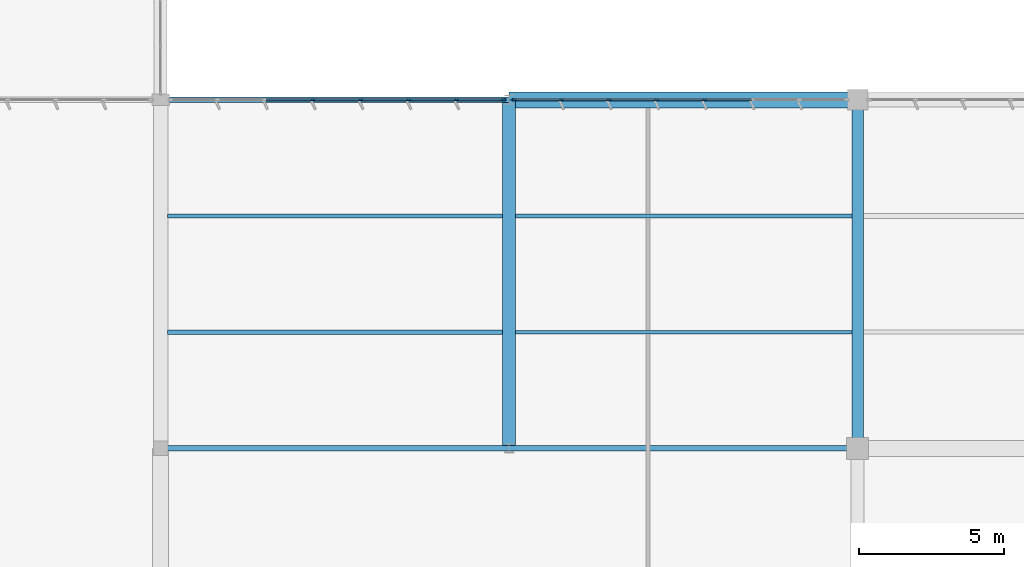
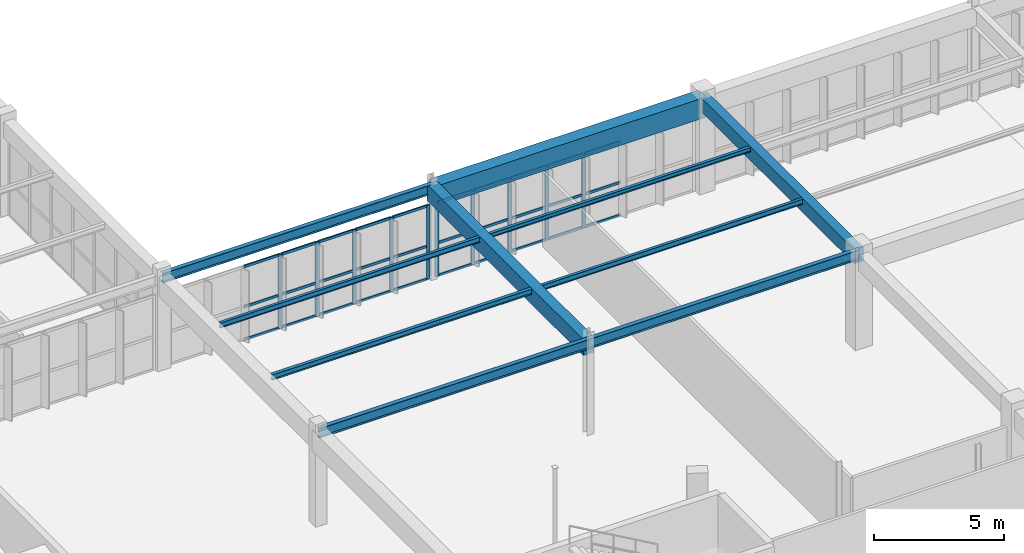
# One storey, part 82 of 226: 40 members, 10 beams, 2 elements without a shape of their own.
"""IFC4 building model written with IfcOpenShell, lengths in metres."""

from ifc_helpers import new_model, si_unit, direction, frame, origin, origin_2d, place, context, subcontext, project, spatial, rectangle, i_section, extrude, material, layer, layer_set, material_profile, profile_set, type_object, element, aggregate, save


model = new_model("IFC4")

# Units and contexts
model_context = context("Model", 3, precision=1e-05, world=origin(), true_north=direction((0.0, 1.0)))
body_context = subcontext(model_context, "Body", "Model", "MODEL_VIEW")
ifc_project = project(units=[si_unit("LENGTHUNIT", "METRE"), si_unit("AREAUNIT", "SQUARE_METRE"), si_unit("VOLUMEUNIT", "CUBIC_METRE"), si_unit("PLANEANGLEUNIT", "RADIAN"), si_unit("MASSUNIT", "GRAM", prefix="KILO")], contexts=[model_context])

# Site, building, storey
site_placement = place(None, origin())
site = spatial("IfcSite", under=ifc_project, at=site_placement, CompositionType="ELEMENT")
building_placement = place(site_placement, origin())
building = spatial("IfcBuilding", under=site, at=building_placement, Name="Tarnwether General Hospital", CompositionType="ELEMENT")
storey_placement = place(building_placement, frame((0.0, 0.0, 4.800048828125)))
storey = spatial("IfcBuildingStorey", under=building, at=storey_placement, Name="L01", CompositionType="ELEMENT", Elevation=4.800048828125)

# Beams
ifc_material_1 = material(Name="Steel Grade 350 (350 MPa)", Category="steel")
ifc_material_profile_1 = material_profile(ifc_material_1, i_section(OverallWidth=0.18994140625, OverallDepth=0.45703125, WebThickness=0.009033203125, FlangeThickness=0.014404296875, at=origin_2d()), Name="460UB74.6")
ifc_profile_set_1 = profile_set([ifc_material_profile_1], Name="Steel Grade 350 (350 MPa)")
beam_type_1 = type_object("IfcBeamType", Name="BM-G09", PredefinedType="BEAM", material=ifc_profile_set_1)
beam_1_placement = place(storey_placement, frame((60.0, 33.60009765625, 4.216552734375), z_axis=(1.0, 0.0, 0.0), x_axis=(0.0, 1.0, 0.0)))
element("IfcBeam", 1, at=beam_1_placement, inside=storey, type_object=beam_type_1, Name="Primary Girder BMG-L01-6000_3360-7200_3360-1122", PredefinedType="BEAM", context=body_context, shape_type="SweptSolid", body=[
    extrude(i_section(OverallWidth=0.18994140625, OverallDepth=0.45703125, WebThickness=0.009033203125, FlangeThickness=0.014404296875, at=origin_2d()), origin(), (0.0, 0.0, 1.0), 12.0),
])
ifc_material_2 = material(Name="Steel Grade 350 (350 MPa)", Category="steel")
ifc_material_profile_2 = material_profile(ifc_material_2, i_section(OverallWidth=0.18994140625, OverallDepth=0.4541015625, WebThickness=0.008544921875, FlangeThickness=0.0126953125, at=origin_2d()), Name="460UB67.1")
ifc_profile_set_2 = profile_set([ifc_material_profile_2], Name="Steel Grade 350 (350 MPa)")
beam_type_2 = type_object("IfcBeamType", Name="BM-G10", PredefinedType="BEAM", material=ifc_profile_set_2)
for number, where, z_axis, x_axis, name in (
    (2, (60.0, 45.60009765625, 4.218017578125), (1.0, 0.0, 0.0), (0.0, 1.0, 0.0), "Primary Girder BMG-L01-6000_4560-7200_4560-1124"),
    (3, (72.0, 33.60009765625, 4.218017578125), (1.0, 0.0, 0.0), (0.0, 1.0, 0.0), "Primary Girder BMG-L01-7200_3360-8400_3360-1136"),
):
    element("IfcBeam", number, at=place(storey_placement, frame(where, z_axis=z_axis, x_axis=x_axis)), inside=storey, type_object=beam_type_2, Name=name, PredefinedType="BEAM", context=body_context, shape_type="SweptSolid", body=[
        extrude(i_section(OverallWidth=0.18994140625, OverallDepth=0.4541015625, WebThickness=0.008544921875, FlangeThickness=0.0126953125, at=origin_2d()), origin(), (0.0, 0.0, 1.0), 12.0),
    ])
ifc_material_3 = material(Name="Concrete 40 MPa", Category="concrete")
ifc_material_profile_3 = material_profile(ifc_material_3, rectangle(XDim=0.550048828125, YDim=0.949951171875, at=origin_2d()), Name="RC-BM-550x950")
ifc_profile_set_3 = profile_set([ifc_material_profile_3], Name="Concrete 40 MPa")
beam_type_3 = type_object("IfcBeamType", Name="BM-G11", PredefinedType="BEAM", material=ifc_profile_set_3)
beam_2_placement = place(storey_placement, frame((72.0, 45.60009765625, 3.969970703125), z_axis=(1.0, 0.0, 0.0), x_axis=(0.0, 1.0, 0.0)))
element("IfcBeam", 4, at=beam_2_placement, inside=storey, type_object=beam_type_3, Name="Primary Girder BMG-L01-7200_4560-8400_4560-1138", PredefinedType="BEAM", context=body_context, shape_type="SweptSolid", body=[
    extrude(rectangle(XDim=0.550048828125, YDim=0.949951171875, at=origin_2d()), origin(), (0.0, 0.0, 1.0), 12.0),
])
ifc_material_4 = material(Name="Concrete 40 MPa", Category="concrete")
ifc_material_profile_4 = material_profile(ifc_material_4, rectangle(XDim=0.449951171875, YDim=0.75, at=origin_2d()), Name="RC-BM-450x750")
ifc_profile_set_4 = profile_set([ifc_material_profile_4], Name="Concrete 40 MPa")
beam_type_4 = type_object("IfcBeamType", Name="BM-G13", PredefinedType="BEAM", material=ifc_profile_set_4)
beam_3_placement = place(storey_placement, frame((72.0, 33.60009765625, 4.070068359375), z_axis=(0.0, 1.0, 0.0), x_axis=(-1.0, 0.0, 0.0)))
element("IfcBeam", 5, at=beam_3_placement, inside=storey, type_object=beam_type_4, Name="Primary Girder BMG-L01-7200_3360-7200_4560-1137", PredefinedType="BEAM", context=body_context, shape_type="SweptSolid", body=[
    extrude(rectangle(XDim=0.449951171875, YDim=0.75, at=origin_2d()), origin(), (0.0, 0.0, 1.0), 12.0),
])
ifc_material_5 = material(Name="Concrete 40 MPa", Category="concrete")
ifc_material_profile_5 = material_profile(ifc_material_5, rectangle(XDim=0.39990234375, YDim=0.64990234375, at=origin_2d()), Name="RC-BM-400x650")
ifc_profile_set_5 = profile_set([ifc_material_profile_5], Name="Concrete 40 MPa")
beam_type_5 = type_object("IfcBeamType", Name="BM-G14", PredefinedType="BEAM", material=ifc_profile_set_5)
beam_4_placement = place(storey_placement, frame((84.0, 33.60009765625, 4.119873046875), z_axis=(0.0, 1.0, 0.0), x_axis=(-1.0, 0.0, 0.0)))
element("IfcBeam", 6, at=beam_4_placement, inside=storey, type_object=beam_type_5, Name="Primary Girder BMG-L01-8400_3360-8400_4560-1149", PredefinedType="BEAM", context=body_context, shape_type="SweptSolid", body=[
    extrude(rectangle(XDim=0.39990234375, YDim=0.64990234375, at=origin_2d()), origin(), (0.0, 0.0, 1.0), 12.0),
])
ifc_material_6 = material(Name="Steel Grade 350 (350 MPa)", Category="steel")
ifc_material_profile_6 = material_profile(ifc_material_6, i_section(OverallWidth=0.14599609375, OverallDepth=0.251953125, WebThickness=0.006103515625, FlangeThickness=0.008544921875, at=origin_2d()), Name="250UB31.4")
ifc_profile_set_6 = profile_set([ifc_material_profile_6], Name="Steel Grade 350 (350 MPa)")
beam_type_6 = type_object("IfcBeamType", Name="BM-J10", PredefinedType="JOIST", material=ifc_profile_set_6)
beam_5_placement = place(storey_placement, frame((60.243896484375, 37.60009765625, 4.31884765625), z_axis=(1.0, 0.0, 0.0), x_axis=(0.0, 1.0, 0.0)))
element("IfcBeam", 7, at=beam_5_placement, inside=storey, type_object=beam_type_6, Name="Composite Floor Joist BMG-L01-6024_3760-7178_3760-1353", PredefinedType="JOIST", context=body_context, shape_type="SweptSolid", body=[
    extrude(i_section(OverallWidth=0.14599609375, OverallDepth=0.251953125, WebThickness=0.006103515625, FlangeThickness=0.008544921875, at=origin_2d()), origin(), (0.0, 0.0, 1.0), 11.537109375),
])
ifc_material_7 = material(Name="Steel Grade 350 (350 MPa)", Category="steel")
ifc_material_profile_7 = material_profile(ifc_material_7, i_section(OverallWidth=0.1240234375, OverallDepth=0.248046875, WebThickness=0.0048828125, FlangeThickness=0.008056640625, at=origin_2d()), Name="250UB25.7")
ifc_profile_set_7 = profile_set([ifc_material_profile_7], Name="Steel Grade 350 (350 MPa)")
beam_type_7 = type_object("IfcBeamType", Name="BM-J11", PredefinedType="JOIST", material=ifc_profile_set_7)
beam_6_placement = place(storey_placement, frame((60.243896484375, 41.60009765625, 4.321044921875), z_axis=(1.0, 0.0, 0.0), x_axis=(0.0, 1.0, 0.0)))
element("IfcBeam", 8, at=beam_6_placement, inside=storey, type_object=beam_type_7, Name="Composite Floor Joist BMG-L01-6024_4160-7178_4160-1354", PredefinedType="JOIST", context=body_context, shape_type="SweptSolid", body=[
    extrude(i_section(OverallWidth=0.1240234375, OverallDepth=0.248046875, WebThickness=0.0048828125, FlangeThickness=0.008056640625, at=origin_2d()), origin(), (0.0, 0.0, 1.0), 11.537109375),
])
beam_7_placement = place(storey_placement, frame((72.218994140625, 37.60009765625, 4.321044921875), z_axis=(1.0, 0.0, 0.0), x_axis=(0.0, 1.0, 0.0)))
element("IfcBeam", 9, at=beam_7_placement, inside=storey, type_object=beam_type_7, Name="Composite Floor Joist BMG-L01-7222_3760-8381_3760-1357", PredefinedType="JOIST", context=body_context, shape_type="SweptSolid", body=[
    extrude(i_section(OverallWidth=0.1240234375, OverallDepth=0.248046875, WebThickness=0.0048828125, FlangeThickness=0.008056640625, at=origin_2d()), origin(), (0.0, 0.0, 1.0), 11.5869140625),
])
ifc_material_8 = material(Name="Steel Grade 350 (350 MPa)", Category="steel")
ifc_material_profile_8 = material_profile(ifc_material_8, i_section(OverallWidth=0.134033203125, OverallDepth=0.20703125, WebThickness=0.00634765625, FlangeThickness=0.009521484375, at=origin_2d()), Name="200UB29.8")
ifc_profile_set_8 = profile_set([ifc_material_profile_8], Name="Steel Grade 350 (350 MPa)")
beam_type_8 = type_object("IfcBeamType", Name="BM-J12", PredefinedType="JOIST", material=ifc_profile_set_8)
beam_8_placement = place(storey_placement, frame((72.218994140625, 41.60009765625, 4.341552734375), z_axis=(1.0, 0.0, 0.0), x_axis=(0.0, 1.0, 0.0)))
element("IfcBeam", 10, at=beam_8_placement, inside=storey, type_object=beam_type_8, Name="Composite Floor Joist BMG-L01-7222_4160-8381_4160-1358", PredefinedType="JOIST", context=body_context, shape_type="SweptSolid", body=[
    extrude(i_section(OverallWidth=0.134033203125, OverallDepth=0.20703125, WebThickness=0.00634765625, FlangeThickness=0.009521484375, at=origin_2d()), origin(), (0.0, 0.0, 1.0), 11.5869140625),
])

# Curtain wall, members
ifc_material_9 = material(Name="Anodised aluminium", Category="aluminium")
ifc_layer = layer(ifc_material_9, 0.159912109375)
ifc_layer_set = layer_set([ifc_layer], Name="Anodised aluminium")
curtain_wall_type = type_object("IfcCurtainWallType", Name="CW-24", PredefinedType="NOTDEFINED", material=ifc_layer_set)
curtain_wall_1_placement = place(storey_placement, origin())
curtain_wall_1 = element("IfcCurtainWall", 11, at=curtain_wall_1_placement, inside=storey, type_object=curtain_wall_type, Name="Curtain Wall CWG-L01-836_456-0345", PredefinedType="NOTDEFINED")
ifc_material_10 = material(Name="Anodised aluminium", Category="aluminium")
ifc_material_profile_9 = material_profile(ifc_material_10, rectangle(XDim=0.06005859375, YDim=0.159912109375, at=origin_2d()), Name="ALU-MUL-60x160")
ifc_profile_set_9 = profile_set([ifc_material_profile_9], Name="Anodised aluminium")
member_type_1 = type_object("IfcMemberType", Name="CW-ML1", PredefinedType="MULLION", material=ifc_profile_set_9)
member_1_placement = place(storey_placement, frame((78.72119140625, 45.60009765625, 0.0), z_axis=(0.0, 0.0, 1.0), x_axis=(0.0, -1.0, 0.0)))
member_1 = element("IfcMember", 12, at=member_1_placement, type_object=member_type_1, Name="CW-24 mullion 4", PredefinedType="MULLION", context=body_context, shape_type="SweptSolid", body=[
    extrude(rectangle(XDim=0.06005859375, YDim=0.159912109375, at=origin_2d()), origin(), (0.0, 0.0, 1.0), 3.47998046875),
])
member_2_placement = place(storey_placement, frame((77.080810546875, 45.60009765625, 0.0), z_axis=(0.0, 0.0, 1.0), x_axis=(0.0, -1.0, 0.0)))
member_2 = element("IfcMember", 13, at=member_2_placement, type_object=member_type_1, Name="CW-24 mullion 5", PredefinedType="MULLION", context=body_context, shape_type="SweptSolid", body=[
    extrude(rectangle(XDim=0.06005859375, YDim=0.159912109375, at=origin_2d()), origin(), (0.0, 0.0, 1.0), 3.47998046875),
])
member_3_placement = place(storey_placement, frame((75.440673828125, 45.60009765625, 0.0), z_axis=(0.0, 0.0, 1.0), x_axis=(0.0, -1.0, 0.0)))
member_3 = element("IfcMember", 14, at=member_3_placement, type_object=member_type_1, Name="CW-24 mullion 6", PredefinedType="MULLION", context=body_context, shape_type="SweptSolid", body=[
    extrude(rectangle(XDim=0.06005859375, YDim=0.159912109375, at=origin_2d()), origin(), (0.0, 0.0, 1.0), 3.47998046875),
])
member_4_placement = place(storey_placement, frame((73.80029296875, 45.60009765625, 0.0), z_axis=(0.0, 0.0, 1.0), x_axis=(0.0, -1.0, 0.0)))
member_4 = element("IfcMember", 15, at=member_4_placement, type_object=member_type_1, Name="CW-24 mullion 7", PredefinedType="MULLION", context=body_context, shape_type="SweptSolid", body=[
    extrude(rectangle(XDim=0.06005859375, YDim=0.159912109375, at=origin_2d()), origin(), (0.0, 0.0, 1.0), 3.47998046875),
])
member_5_placement = place(storey_placement, frame((72.18994140625, 45.60009765625, 0.0), z_axis=(0.0, 0.0, 1.0), x_axis=(0.0, -1.0, 0.0)))
member_5 = element("IfcMember", 16, at=member_5_placement, type_object=member_type_1, Name="CW-24 mullion 8", PredefinedType="MULLION", context=body_context, shape_type="SweptSolid", body=[
    extrude(rectangle(XDim=0.06005859375, YDim=0.159912109375, at=origin_2d()), origin(), (0.0, 0.0, 1.0), 3.47998046875),
])

curtain_wall_2_placement = place(storey_placement, origin())
curtain_wall_2 = element("IfcCurtainWall", 17, at=curtain_wall_2_placement, inside=storey, type_object=curtain_wall_type, Name="Curtain Wall CWG-L01-718_456-0346", PredefinedType="NOTDEFINED")
member_6_placement = place(storey_placement, frame((71.81005859375, 45.60009765625, 0.0), z_axis=(0.0, 0.0, 1.0), x_axis=(0.0, -1.0, 0.0)))
member_6 = element("IfcMember", 18, at=member_6_placement, type_object=member_type_1, Name="CW-24 mullion 1", PredefinedType="MULLION", context=body_context, shape_type="SweptSolid", body=[
    extrude(rectangle(XDim=0.06005859375, YDim=0.159912109375, at=origin_2d()), origin(), (0.0, 0.0, 1.0), 3.47998046875),
])
member_7_placement = place(storey_placement, frame((70.192626953125, 45.60009765625, 0.0), z_axis=(0.0, 0.0, 1.0), x_axis=(0.0, -1.0, 0.0)))
member_7 = element("IfcMember", 19, at=member_7_placement, type_object=member_type_1, Name="CW-24 mullion 2", PredefinedType="MULLION", context=body_context, shape_type="SweptSolid", body=[
    extrude(rectangle(XDim=0.06005859375, YDim=0.159912109375, at=origin_2d()), origin(), (0.0, 0.0, 1.0), 3.47998046875),
])
member_8_placement = place(storey_placement, frame((68.545166015625, 45.60009765625, 0.0), z_axis=(0.0, 0.0, 1.0), x_axis=(0.0, -1.0, 0.0)))
member_8 = element("IfcMember", 20, at=member_8_placement, type_object=member_type_1, Name="CW-24 mullion 3", PredefinedType="MULLION", context=body_context, shape_type="SweptSolid", body=[
    extrude(rectangle(XDim=0.06005859375, YDim=0.159912109375, at=origin_2d()), origin(), (0.0, 0.0, 1.0), 3.47998046875),
])
member_9_placement = place(storey_placement, frame((66.897705078125, 45.60009765625, 0.0), z_axis=(0.0, 0.0, 1.0), x_axis=(0.0, -1.0, 0.0)))
member_9 = element("IfcMember", 21, at=member_9_placement, type_object=member_type_1, Name="CW-24 mullion 4", PredefinedType="MULLION", context=body_context, shape_type="SweptSolid", body=[
    extrude(rectangle(XDim=0.06005859375, YDim=0.159912109375, at=origin_2d()), origin(), (0.0, 0.0, 1.0), 3.47998046875),
])
member_10_placement = place(storey_placement, frame((65.250244140625, 45.60009765625, 0.0), z_axis=(0.0, 0.0, 1.0), x_axis=(0.0, -1.0, 0.0)))
member_10 = element("IfcMember", 22, at=member_10_placement, type_object=member_type_1, Name="CW-24 mullion 5", PredefinedType="MULLION", context=body_context, shape_type="SweptSolid", body=[
    extrude(rectangle(XDim=0.06005859375, YDim=0.159912109375, at=origin_2d()), origin(), (0.0, 0.0, 1.0), 3.47998046875),
])

# Member
ifc_material_11 = material(Name="Anodised aluminium", Category="aluminium")
ifc_material_profile_10 = material_profile(ifc_material_11, rectangle(XDim=0.06005859375, YDim=0.1201171875, at=origin_2d()), Name="ALU-TRN-60x120")
ifc_profile_set_10 = profile_set([ifc_material_profile_10], Name="Anodised aluminium")
member_type_2 = type_object("IfcMemberType", Name="CW-TR1", PredefinedType="USERDEFINED", material=ifc_profile_set_10)
member_11_placement = place(storey_placement, frame((80.33154296875, 45.60009765625, 0.030029296875), z_axis=(-1.0, 0.0, 0.0), x_axis=(0.0, -1.0, 0.0)))
member_11 = element("IfcMember", 23, at=member_11_placement, type_object=member_type_2, Name="CW-24 transom 3.1", ObjectType="TRANSOM", PredefinedType="USERDEFINED", context=body_context, shape_type="SweptSolid", body=[
    extrude(rectangle(XDim=0.06005859375, YDim=0.1201171875, at=origin_2d()), origin(), (0.0, 0.0, 1.0), 1.580322265625),
])

member_12_placement = place(storey_placement, frame((80.33154296875, 45.60009765625, 1.56591796875), z_axis=(-1.0, 0.0, 0.0), x_axis=(0.0, -1.0, 0.0)))
member_12 = element("IfcMember", 24, at=member_12_placement, type_object=member_type_2, Name="CW-24 transom 3.2", ObjectType="TRANSOM", PredefinedType="USERDEFINED", context=body_context, shape_type="SweptSolid", body=[
    extrude(rectangle(XDim=0.06005859375, YDim=0.1201171875, at=origin_2d()), origin(), (0.0, 0.0, 1.0), 1.580322265625),
])

member_13_placement = place(storey_placement, frame((80.33154296875, 45.60009765625, 3.449951171875), z_axis=(-1.0, 0.0, 0.0), x_axis=(0.0, -1.0, 0.0)))
member_13 = element("IfcMember", 25, at=member_13_placement, type_object=member_type_2, Name="CW-24 transom 3.3", ObjectType="TRANSOM", PredefinedType="USERDEFINED", context=body_context, shape_type="SweptSolid", body=[
    extrude(rectangle(XDim=0.06005859375, YDim=0.1201171875, at=origin_2d()), origin(), (0.0, 0.0, 1.0), 1.580322265625),
])

member_14_placement = place(storey_placement, frame((78.691162109375, 45.60009765625, 0.030029296875), z_axis=(-1.0, 0.0, 0.0), x_axis=(0.0, -1.0, 0.0)))
member_14 = element("IfcMember", 26, at=member_14_placement, type_object=member_type_2, Name="CW-24 transom 4.1", ObjectType="TRANSOM", PredefinedType="USERDEFINED", context=body_context, shape_type="SweptSolid", body=[
    extrude(rectangle(XDim=0.06005859375, YDim=0.1201171875, at=origin_2d()), origin(), (0.0, 0.0, 1.0), 1.580322265625),
])

member_15_placement = place(storey_placement, frame((78.691162109375, 45.60009765625, 1.56591796875), z_axis=(-1.0, 0.0, 0.0), x_axis=(0.0, -1.0, 0.0)))
member_15 = element("IfcMember", 27, at=member_15_placement, type_object=member_type_2, Name="CW-24 transom 4.2", ObjectType="TRANSOM", PredefinedType="USERDEFINED", context=body_context, shape_type="SweptSolid", body=[
    extrude(rectangle(XDim=0.06005859375, YDim=0.1201171875, at=origin_2d()), origin(), (0.0, 0.0, 1.0), 1.580322265625),
])

member_16_placement = place(storey_placement, frame((78.691162109375, 45.60009765625, 3.449951171875), z_axis=(-1.0, 0.0, 0.0), x_axis=(0.0, -1.0, 0.0)))
member_16 = element("IfcMember", 28, at=member_16_placement, type_object=member_type_2, Name="CW-24 transom 4.3", ObjectType="TRANSOM", PredefinedType="USERDEFINED", context=body_context, shape_type="SweptSolid", body=[
    extrude(rectangle(XDim=0.06005859375, YDim=0.1201171875, at=origin_2d()), origin(), (0.0, 0.0, 1.0), 1.580322265625),
])

member_17_placement = place(storey_placement, frame((77.05078125, 45.60009765625, 0.030029296875), z_axis=(-1.0, 0.0, 0.0), x_axis=(0.0, -1.0, 0.0)))
member_17 = element("IfcMember", 29, at=member_17_placement, type_object=member_type_2, Name="CW-24 transom 5.1", ObjectType="TRANSOM", PredefinedType="USERDEFINED", context=body_context, shape_type="SweptSolid", body=[
    extrude(rectangle(XDim=0.06005859375, YDim=0.1201171875, at=origin_2d()), origin(), (0.0, 0.0, 1.0), 1.580322265625),
])

member_18_placement = place(storey_placement, frame((77.05078125, 45.60009765625, 1.56591796875), z_axis=(-1.0, 0.0, 0.0), x_axis=(0.0, -1.0, 0.0)))
member_18 = element("IfcMember", 30, at=member_18_placement, type_object=member_type_2, Name="CW-24 transom 5.2", ObjectType="TRANSOM", PredefinedType="USERDEFINED", context=body_context, shape_type="SweptSolid", body=[
    extrude(rectangle(XDim=0.06005859375, YDim=0.1201171875, at=origin_2d()), origin(), (0.0, 0.0, 1.0), 1.580322265625),
])

member_19_placement = place(storey_placement, frame((77.05078125, 45.60009765625, 3.449951171875), z_axis=(-1.0, 0.0, 0.0), x_axis=(0.0, -1.0, 0.0)))
member_19 = element("IfcMember", 31, at=member_19_placement, type_object=member_type_2, Name="CW-24 transom 5.3", ObjectType="TRANSOM", PredefinedType="USERDEFINED", context=body_context, shape_type="SweptSolid", body=[
    extrude(rectangle(XDim=0.06005859375, YDim=0.1201171875, at=origin_2d()), origin(), (0.0, 0.0, 1.0), 1.580322265625),
])

member_20_placement = place(storey_placement, frame((75.41064453125, 45.60009765625, 0.030029296875), z_axis=(-1.0, 0.0, 0.0), x_axis=(0.0, -1.0, 0.0)))
member_20 = element("IfcMember", 32, at=member_20_placement, type_object=member_type_2, Name="CW-24 transom 6.1", ObjectType="TRANSOM", PredefinedType="USERDEFINED", context=body_context, shape_type="SweptSolid", body=[
    extrude(rectangle(XDim=0.06005859375, YDim=0.1201171875, at=origin_2d()), origin(), (0.0, 0.0, 1.0), 1.580322265625),
])

member_21_placement = place(storey_placement, frame((75.41064453125, 45.60009765625, 1.56591796875), z_axis=(-1.0, 0.0, 0.0), x_axis=(0.0, -1.0, 0.0)))
member_21 = element("IfcMember", 33, at=member_21_placement, type_object=member_type_2, Name="CW-24 transom 6.2", ObjectType="TRANSOM", PredefinedType="USERDEFINED", context=body_context, shape_type="SweptSolid", body=[
    extrude(rectangle(XDim=0.06005859375, YDim=0.1201171875, at=origin_2d()), origin(), (0.0, 0.0, 1.0), 1.580322265625),
])

member_22_placement = place(storey_placement, frame((75.41064453125, 45.60009765625, 3.449951171875), z_axis=(-1.0, 0.0, 0.0), x_axis=(0.0, -1.0, 0.0)))
member_22 = element("IfcMember", 34, at=member_22_placement, type_object=member_type_2, Name="CW-24 transom 6.3", ObjectType="TRANSOM", PredefinedType="USERDEFINED", context=body_context, shape_type="SweptSolid", body=[
    extrude(rectangle(XDim=0.06005859375, YDim=0.1201171875, at=origin_2d()), origin(), (0.0, 0.0, 1.0), 1.580322265625),
])

member_23_placement = place(storey_placement, frame((73.770263671875, 45.60009765625, 0.030029296875), z_axis=(-1.0, 0.0, 0.0), x_axis=(0.0, -1.0, 0.0)))
member_23 = element("IfcMember", 35, at=member_23_placement, type_object=member_type_2, Name="CW-24 transom 7.1", ObjectType="TRANSOM", PredefinedType="USERDEFINED", context=body_context, shape_type="SweptSolid", body=[
    extrude(rectangle(XDim=0.06005859375, YDim=0.1201171875, at=origin_2d()), origin(), (0.0, 0.0, 1.0), 1.55029296875),
])

member_24_placement = place(storey_placement, frame((73.770263671875, 45.60009765625, 1.56591796875), z_axis=(-1.0, 0.0, 0.0), x_axis=(0.0, -1.0, 0.0)))
member_24 = element("IfcMember", 36, at=member_24_placement, type_object=member_type_2, Name="CW-24 transom 7.2", ObjectType="TRANSOM", PredefinedType="USERDEFINED", context=body_context, shape_type="SweptSolid", body=[
    extrude(rectangle(XDim=0.06005859375, YDim=0.1201171875, at=origin_2d()), origin(), (0.0, 0.0, 1.0), 1.55029296875),
])

member_25_placement = place(storey_placement, frame((73.770263671875, 45.60009765625, 3.449951171875), z_axis=(-1.0, 0.0, 0.0), x_axis=(0.0, -1.0, 0.0)))
member_25 = element("IfcMember", 37, at=member_25_placement, type_object=member_type_2, Name="CW-24 transom 7.3", ObjectType="TRANSOM", PredefinedType="USERDEFINED", context=body_context, shape_type="SweptSolid", body=[
    extrude(rectangle(XDim=0.06005859375, YDim=0.1201171875, at=origin_2d()), origin(), (0.0, 0.0, 1.0), 1.55029296875),
])

aggregate(curtain_wall_1, [member_1, member_2, member_3, member_4, member_5, member_11, member_12, member_13, member_14, member_15, member_16, member_17, member_18, member_19, member_20, member_21, member_22, member_23, member_24, member_25])

member_26_placement = place(storey_placement, frame((71.780029296875, 45.60009765625, 0.030029296875), z_axis=(-1.0, 0.0, 0.0), x_axis=(0.0, -1.0, 0.0)))
member_26 = element("IfcMember", 38, at=member_26_placement, type_object=member_type_2, Name="CW-24 transom 1.1", ObjectType="TRANSOM", PredefinedType="USERDEFINED", context=body_context, shape_type="SweptSolid", body=[
    extrude(rectangle(XDim=0.06005859375, YDim=0.1201171875, at=origin_2d()), origin(), (0.0, 0.0, 1.0), 1.557373046875),
])

member_27_placement = place(storey_placement, frame((71.780029296875, 45.60009765625, 1.56591796875), z_axis=(-1.0, 0.0, 0.0), x_axis=(0.0, -1.0, 0.0)))
member_27 = element("IfcMember", 39, at=member_27_placement, type_object=member_type_2, Name="CW-24 transom 1.2", ObjectType="TRANSOM", PredefinedType="USERDEFINED", context=body_context, shape_type="SweptSolid", body=[
    extrude(rectangle(XDim=0.06005859375, YDim=0.1201171875, at=origin_2d()), origin(), (0.0, 0.0, 1.0), 1.557373046875),
])

member_28_placement = place(storey_placement, frame((71.780029296875, 45.60009765625, 3.449951171875), z_axis=(-1.0, 0.0, 0.0), x_axis=(0.0, -1.0, 0.0)))
member_28 = element("IfcMember", 40, at=member_28_placement, type_object=member_type_2, Name="CW-24 transom 1.3", ObjectType="TRANSOM", PredefinedType="USERDEFINED", context=body_context, shape_type="SweptSolid", body=[
    extrude(rectangle(XDim=0.06005859375, YDim=0.1201171875, at=origin_2d()), origin(), (0.0, 0.0, 1.0), 1.557373046875),
])

member_29_placement = place(storey_placement, frame((70.16259765625, 45.60009765625, 0.030029296875), z_axis=(-1.0, 0.0, 0.0), x_axis=(0.0, -1.0, 0.0)))
member_29 = element("IfcMember", 41, at=member_29_placement, type_object=member_type_2, Name="CW-24 transom 2.1", ObjectType="TRANSOM", PredefinedType="USERDEFINED", context=body_context, shape_type="SweptSolid", body=[
    extrude(rectangle(XDim=0.06005859375, YDim=0.1201171875, at=origin_2d()), origin(), (0.0, 0.0, 1.0), 1.58740234375),
])

member_30_placement = place(storey_placement, frame((70.16259765625, 45.60009765625, 1.56591796875), z_axis=(-1.0, 0.0, 0.0), x_axis=(0.0, -1.0, 0.0)))
member_30 = element("IfcMember", 42, at=member_30_placement, type_object=member_type_2, Name="CW-24 transom 2.2", ObjectType="TRANSOM", PredefinedType="USERDEFINED", context=body_context, shape_type="SweptSolid", body=[
    extrude(rectangle(XDim=0.06005859375, YDim=0.1201171875, at=origin_2d()), origin(), (0.0, 0.0, 1.0), 1.58740234375),
])

member_31_placement = place(storey_placement, frame((70.16259765625, 45.60009765625, 3.449951171875), z_axis=(-1.0, 0.0, 0.0), x_axis=(0.0, -1.0, 0.0)))
member_31 = element("IfcMember", 43, at=member_31_placement, type_object=member_type_2, Name="CW-24 transom 2.3", ObjectType="TRANSOM", PredefinedType="USERDEFINED", context=body_context, shape_type="SweptSolid", body=[
    extrude(rectangle(XDim=0.06005859375, YDim=0.1201171875, at=origin_2d()), origin(), (0.0, 0.0, 1.0), 1.58740234375),
])

member_32_placement = place(storey_placement, frame((68.51513671875, 45.60009765625, 0.030029296875), z_axis=(-1.0, 0.0, 0.0), x_axis=(0.0, -1.0, 0.0)))
member_32 = element("IfcMember", 44, at=member_32_placement, type_object=member_type_2, Name="CW-24 transom 3.1", ObjectType="TRANSOM", PredefinedType="USERDEFINED", context=body_context, shape_type="SweptSolid", body=[
    extrude(rectangle(XDim=0.06005859375, YDim=0.1201171875, at=origin_2d()), origin(), (0.0, 0.0, 1.0), 1.58740234375),
])

member_33_placement = place(storey_placement, frame((68.51513671875, 45.60009765625, 1.56591796875), z_axis=(-1.0, 0.0, 0.0), x_axis=(0.0, -1.0, 0.0)))
member_33 = element("IfcMember", 45, at=member_33_placement, type_object=member_type_2, Name="CW-24 transom 3.2", ObjectType="TRANSOM", PredefinedType="USERDEFINED", context=body_context, shape_type="SweptSolid", body=[
    extrude(rectangle(XDim=0.06005859375, YDim=0.1201171875, at=origin_2d()), origin(), (0.0, 0.0, 1.0), 1.58740234375),
])

member_34_placement = place(storey_placement, frame((68.51513671875, 45.60009765625, 3.449951171875), z_axis=(-1.0, 0.0, 0.0), x_axis=(0.0, -1.0, 0.0)))
member_34 = element("IfcMember", 46, at=member_34_placement, type_object=member_type_2, Name="CW-24 transom 3.3", ObjectType="TRANSOM", PredefinedType="USERDEFINED", context=body_context, shape_type="SweptSolid", body=[
    extrude(rectangle(XDim=0.06005859375, YDim=0.1201171875, at=origin_2d()), origin(), (0.0, 0.0, 1.0), 1.58740234375),
])

member_35_placement = place(storey_placement, frame((66.86767578125, 45.60009765625, 0.030029296875), z_axis=(-1.0, 0.0, 0.0), x_axis=(0.0, -1.0, 0.0)))
member_35 = element("IfcMember", 47, at=member_35_placement, type_object=member_type_2, Name="CW-24 transom 4.1", ObjectType="TRANSOM", PredefinedType="USERDEFINED", context=body_context, shape_type="SweptSolid", body=[
    extrude(rectangle(XDim=0.06005859375, YDim=0.1201171875, at=origin_2d()), origin(), (0.0, 0.0, 1.0), 1.58740234375),
])

member_36_placement = place(storey_placement, frame((66.86767578125, 45.60009765625, 1.56591796875), z_axis=(-1.0, 0.0, 0.0), x_axis=(0.0, -1.0, 0.0)))
member_36 = element("IfcMember", 48, at=member_36_placement, type_object=member_type_2, Name="CW-24 transom 4.2", ObjectType="TRANSOM", PredefinedType="USERDEFINED", context=body_context, shape_type="SweptSolid", body=[
    extrude(rectangle(XDim=0.06005859375, YDim=0.1201171875, at=origin_2d()), origin(), (0.0, 0.0, 1.0), 1.58740234375),
])

member_37_placement = place(storey_placement, frame((66.86767578125, 45.60009765625, 3.449951171875), z_axis=(-1.0, 0.0, 0.0), x_axis=(0.0, -1.0, 0.0)))
member_37 = element("IfcMember", 49, at=member_37_placement, type_object=member_type_2, Name="CW-24 transom 4.3", ObjectType="TRANSOM", PredefinedType="USERDEFINED", context=body_context, shape_type="SweptSolid", body=[
    extrude(rectangle(XDim=0.06005859375, YDim=0.1201171875, at=origin_2d()), origin(), (0.0, 0.0, 1.0), 1.58740234375),
])

member_38_placement = place(storey_placement, frame((65.22021484375, 45.60009765625, 0.030029296875), z_axis=(-1.0, 0.0, 0.0), x_axis=(0.0, -1.0, 0.0)))
member_38 = element("IfcMember", 50, at=member_38_placement, type_object=member_type_2, Name="CW-24 transom 5.1", ObjectType="TRANSOM", PredefinedType="USERDEFINED", context=body_context, shape_type="SweptSolid", body=[
    extrude(rectangle(XDim=0.06005859375, YDim=0.1201171875, at=origin_2d()), origin(), (0.0, 0.0, 1.0), 1.58740234375),
])

member_39_placement = place(storey_placement, frame((65.22021484375, 45.60009765625, 1.56591796875), z_axis=(-1.0, 0.0, 0.0), x_axis=(0.0, -1.0, 0.0)))
member_39 = element("IfcMember", 51, at=member_39_placement, type_object=member_type_2, Name="CW-24 transom 5.2", ObjectType="TRANSOM", PredefinedType="USERDEFINED", context=body_context, shape_type="SweptSolid", body=[
    extrude(rectangle(XDim=0.06005859375, YDim=0.1201171875, at=origin_2d()), origin(), (0.0, 0.0, 1.0), 1.58740234375),
])

member_40_placement = place(storey_placement, frame((65.22021484375, 45.60009765625, 3.449951171875), z_axis=(-1.0, 0.0, 0.0), x_axis=(0.0, -1.0, 0.0)))
member_40 = element("IfcMember", 52, at=member_40_placement, type_object=member_type_2, Name="CW-24 transom 5.3", ObjectType="TRANSOM", PredefinedType="USERDEFINED", context=body_context, shape_type="SweptSolid", body=[
    extrude(rectangle(XDim=0.06005859375, YDim=0.1201171875, at=origin_2d()), origin(), (0.0, 0.0, 1.0), 1.58740234375),
])

aggregate(curtain_wall_2, [member_6, member_7, member_8, member_9, member_10, member_26, member_27, member_28, member_29, member_30, member_31, member_32, member_33, member_34, member_35, member_36, member_37, member_38, member_39, member_40])

save(model, "model.ifc")
